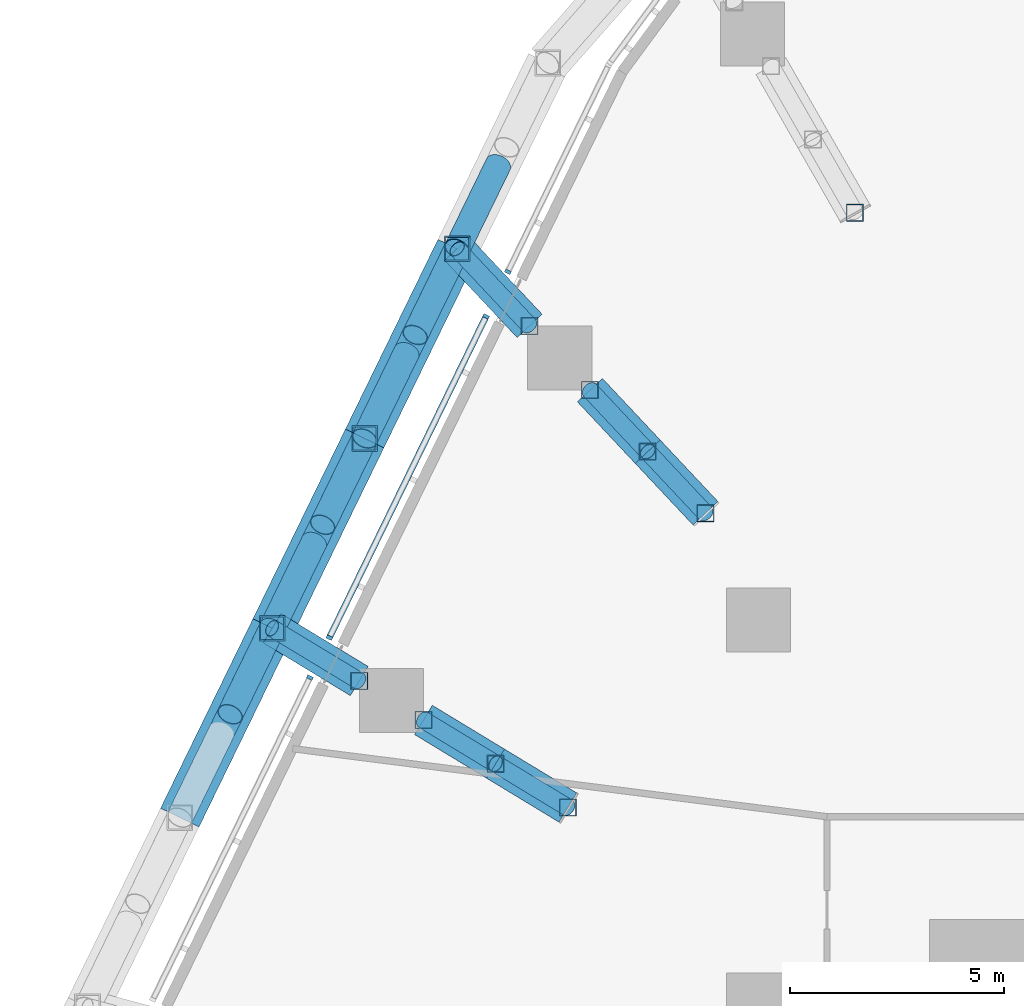
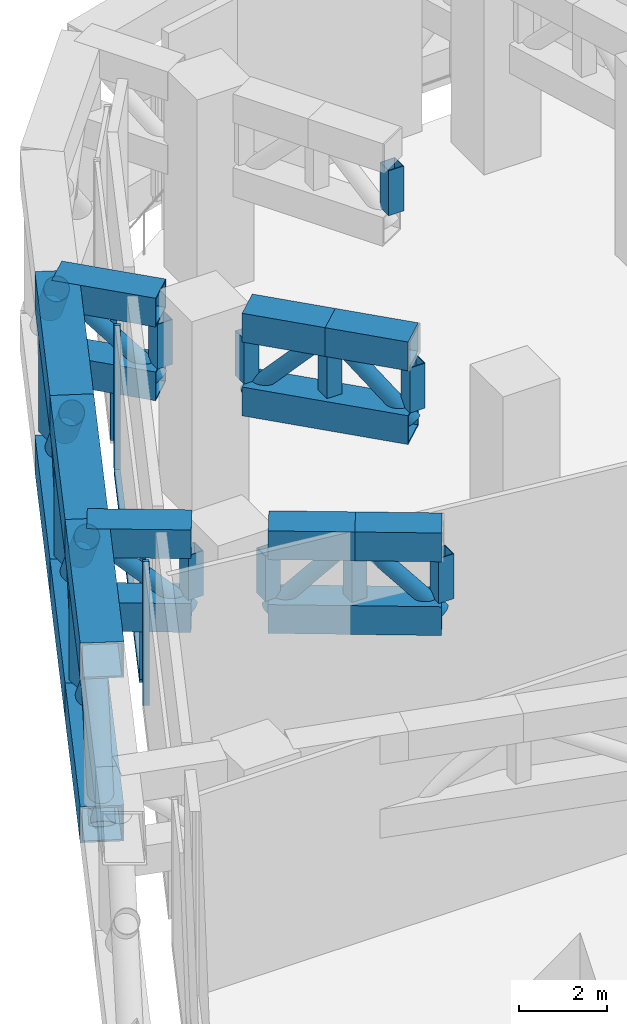
# One storey, part 8 of 38: 48 members, 1 element without a shape of its own.
"""IFC4 building model written with IfcOpenShell, lengths in metres."""

from ifc_helpers import new_model, si_unit, direction, frame, origin, origin_2d, place, context, subcontext, project, spatial, rectangle, hollow_rectangle, hollow_circle, extrude, material, layer, layer_set, material_profile, profile_set, type_object, element, aggregate, save


model = new_model("IFC4")

# Units and contexts
model_context = context("Model", 3, precision=1e-05, world=origin(), true_north=direction((0.0, 1.0)))
body_context = subcontext(model_context, "Body", "Model", "MODEL_VIEW")
ifc_project = project(units=[si_unit("LENGTHUNIT", "METRE"), si_unit("AREAUNIT", "SQUARE_METRE"), si_unit("VOLUMEUNIT", "CUBIC_METRE"), si_unit("PLANEANGLEUNIT", "RADIAN"), si_unit("MASSUNIT", "GRAM", prefix="KILO")], contexts=[model_context])

# Site, building, storey
site_placement = place(None, origin())
site = spatial("IfcSite", under=ifc_project, at=site_placement, CompositionType="ELEMENT")
building_placement = place(site_placement, origin())
building = spatial("IfcBuilding", under=site, at=building_placement, Name="Dongbaek Canopy Tower", CompositionType="ELEMENT")
storey_placement = place(building_placement, frame((0.0, 0.0, 89.199951171875)))
storey = spatial("IfcBuildingStorey", under=building, at=storey_placement, Name="L18", CompositionType="ELEMENT", Elevation=89.199951171875)

# Members
ifc_material_1 = material(Name="Steel S355", Category="steel")
ifc_material_profile_1 = material_profile(ifc_material_1, hollow_circle(Radius=0.304931640625, WallThickness=0.01611328125, at=origin_2d()), Name="BELT BRACE CHS 610.0x16.0 Steel S355")
ifc_profile_set_1 = profile_set([ifc_material_profile_1], Name="Steel S355")
member_type_1 = type_object("IfcMemberType", Name="BELT BRACE CHS 610.0x16.0 Steel S355", PredefinedType="BRACE", material=ifc_profile_set_1)
member_1_placement = place(storey_placement, frame((-31.531982421875, 13.3798828125, 0.5), z_axis=(0.321979445973, 0.660269022181, 0.678508699073), x_axis=(-0.898823690622, 0.438310361704, 0.0)))
element("IfcMember", 1, at=member_1_placement, inside=storey, type_object=member_type_1, Name="BELT:L18:10:D1:0", PredefinedType="BRACE", context=body_context, shape_type="SweptSolid", body=[
    extrude(hollow_circle(Radius=0.304931640625, WallThickness=0.01611328125, at=origin_2d()), origin(), (0.0, 0.0, 1.0), 6.7060546875),
])
member_2_placement = place(storey_placement, frame((-29.372802734375, 17.8076171875, 0.5), z_axis=(-0.322028448932, -0.660242453147, 0.678511297725), x_axis=(0.898790458992, -0.438378501783, 0.0)))
element("IfcMember", 2, at=member_2_placement, inside=storey, type_object=member_type_1, Name="BELT:L18:10:D1:1", PredefinedType="BRACE", context=body_context, shape_type="SweptSolid", body=[
    extrude(hollow_circle(Radius=0.304931640625, WallThickness=0.01611328125, at=origin_2d()), origin(), (0.0, 0.0, 1.0), 3.046875),
])
member_3_placement = place(storey_placement, frame((-29.372802734375, 17.8076171875, 0.5), z_axis=(0.322238010951, 0.6608425123, 0.677827292336), x_axis=(-0.898834994931, 0.438287179697, 0.0)))
element("IfcMember", 3, at=member_3_placement, inside=storey, type_object=member_type_1, Name="BELT:L18:11:D0:0", PredefinedType="BRACE", context=body_context, shape_type="SweptSolid", body=[
    extrude(hollow_circle(Radius=0.304931640625, WallThickness=0.01611328125, at=origin_2d()), origin(), (0.0, 0.0, 1.0), 6.712646484375),
])
for number, where, z_axis, x_axis, name in (
    (4, (-27.209716796875, 22.24365234375, 0.5), (-0.322223680898, -0.660854677887, 0.677822243796), (0.898845851524, -0.438264914404, 0.0), "BELT:L18:11:D0:1"),
    (5, (-29.372802734375, 17.8076171875, 5.050048828125), (0.322223680898, 0.660854677887, -0.677822243796), (-0.898845851524, 0.438264914404, 0.0), "BELT:L18:11:D0:2"),
):
    element("IfcMember", number, at=place(storey_placement, frame(where, z_axis=z_axis, x_axis=x_axis)), inside=storey, type_object=member_type_1, Name=name, PredefinedType="BRACE", context=body_context, shape_type="SweptSolid", body=[
        extrude(hollow_circle(Radius=0.304931640625, WallThickness=0.01611328125, at=origin_2d()), origin(), (0.0, 0.0, 1.0), 3.05029296875),
    ])
member_4_placement = place(storey_placement, frame((-27.209716796875, 22.24365234375, 0.5), z_axis=(0.322270603795, 0.660834767064, 0.677819348034), x_axis=(-0.898815506622, 0.438327143873, 0.0)))
element("IfcMember", 6, at=member_4_placement, inside=storey, type_object=member_type_1, Name="BELT:L18:11:D1:0", PredefinedType="BRACE", context=body_context, shape_type="SweptSolid", body=[
    extrude(hollow_circle(Radius=0.304931640625, WallThickness=0.01611328125, at=origin_2d()), origin(), (0.0, 0.0, 1.0), 6.712890625),
])
member_5_placement = place(storey_placement, frame((-25.04638671875, 26.6796875, 0.5), z_axis=(-0.322223680898, -0.660854677887, 0.677822243796), x_axis=(0.898845851524, -0.438264914404, 0.0)))
element("IfcMember", 7, at=member_5_placement, inside=storey, type_object=member_type_1, Name="BELT:L18:11:D1:1", PredefinedType="BRACE", context=body_context, shape_type="SweptSolid", body=[
    extrude(hollow_circle(Radius=0.304931640625, WallThickness=0.01611328125, at=origin_2d()), origin(), (0.0, 0.0, 1.0), 3.05029296875),
])
member_6_placement = place(storey_placement, frame((-27.209716796875, 22.24365234375, 5.050048828125), z_axis=(0.322295403858, 0.660837633388, -0.677804761676), x_axis=(-0.898802966298, 0.438352857609, 0.0)))
element("IfcMember", 8, at=member_6_placement, inside=storey, type_object=member_type_1, Name="BELT:L18:11:D1:2", PredefinedType="BRACE", context=body_context, shape_type="SweptSolid", body=[
    extrude(hollow_circle(Radius=0.304931640625, WallThickness=0.01611328125, at=origin_2d()), origin(), (0.0, 0.0, 1.0), 3.050537109375),
])
member_7_placement = place(storey_placement, frame((-25.04638671875, 26.6796875, 5.050048828125), z_axis=(0.319136083237, 0.654395060754, -0.685506575342), x_axis=(-0.898812290249, 0.438333739172, 0.0)))
element("IfcMember", 9, at=member_7_placement, inside=storey, type_object=member_type_1, Name="BELT:L18:12:D0:2", PredefinedType="BRACE", context=body_context, shape_type="SweptSolid", body=[
    extrude(hollow_circle(Radius=0.304931640625, WallThickness=0.01611328125, at=origin_2d()), origin(), (0.0, 0.0, 1.0), 3.013427734375),
])
ifc_material_2 = material(Name="Steel S355", Category="steel")
ifc_material_profile_2 = material_profile(ifc_material_2, hollow_rectangle(XDim=1.0, YDim=1.0, WallThickness=0.050048828125, at=origin_2d()), Name="BELT CHORD BOX 1000x1000x50 Steel S355")
ifc_profile_set_2 = profile_set([ifc_material_profile_2], Name="Steel S355")
member_type_2 = type_object("IfcMemberType", Name="BELT CHORD BOX 1000x1000x50 Steel S355", PredefinedType="CHORD", material=ifc_profile_set_2)
for number, where, z_axis, x_axis, name in (
    (10, (-31.531982421875, 13.3798828125, 0.5), (0.438310361704, 0.898823690622, 0.0), (-0.898823690622, 0.438310361704, 0.0), "BELT:L18:10:CB1"),
    (11, (-31.531982421875, 13.3798828125, 5.050048828125), (0.438310361704, 0.898823690622, 0.0), (-0.898823690622, 0.438310361704, 0.0), "BELT:L18:10:CT1"),
):
    element("IfcMember", number, at=place(storey_placement, frame(where, z_axis=z_axis, x_axis=x_axis)), inside=storey, type_object=member_type_2, Name=name, PredefinedType="CHORD", context=body_context, shape_type="SweptSolid", body=[
        extrude(hollow_rectangle(XDim=1.0, YDim=1.0, WallThickness=0.050048828125, at=origin_2d()), origin(), (0.0, 0.0, 1.0), 4.926025390625),
    ])
for number, where, z_axis, x_axis, name in (
    (12, (-29.372802734375, 17.8076171875, 0.5), (0.438287179697, 0.898834994931, 0.0), (-0.898834994931, 0.438287179697, 0.0), "BELT:L18:11:CB0"),
    (13, (-29.372802734375, 17.8076171875, 5.050048828125), (0.438287179697, 0.898834994931, 0.0), (-0.898834994931, 0.438287179697, 0.0), "BELT:L18:11:CT0"),
    (14, (-27.209716796875, 22.24365234375, 0.5), (0.438327143873, 0.898815506622, 0.0), (-0.898815506622, 0.438327143873, 0.0), "BELT:L18:11:CB1"),
    (15, (-27.209716796875, 22.24365234375, 5.050048828125), (0.438327143873, 0.898815506622, 0.0), (-0.898815506622, 0.438327143873, 0.0), "BELT:L18:11:CT1"),
):
    element("IfcMember", number, at=place(storey_placement, frame(where, z_axis=z_axis, x_axis=x_axis)), inside=storey, type_object=member_type_2, Name=name, PredefinedType="CHORD", context=body_context, shape_type="SweptSolid", body=[
        extrude(hollow_rectangle(XDim=1.0, YDim=1.0, WallThickness=0.050048828125, at=origin_2d()), origin(), (0.0, 0.0, 1.0), 4.935302734375),
    ])
ifc_material_3 = material(Name="Steel S355", Category="steel")
ifc_material_profile_3 = material_profile(ifc_material_3, hollow_rectangle(XDim=0.60009765625, YDim=0.60009765625, WallThickness=0.031982421875, at=origin_2d()), Name="BELT POST BOX 600x600x32 Steel S355")
ifc_profile_set_3 = profile_set([ifc_material_profile_3], Name="Steel S355")
member_type_3 = type_object("IfcMemberType", Name="BELT POST BOX 600x600x32 Steel S355", PredefinedType="POST", material=ifc_profile_set_3)
for number, where, z_axis, x_axis, name in (
    (16, (-29.372802734375, 17.8076171875, 1.0), (0.0, 0.0, 1.0), (1.0, 0.0, 0.0), "BELT:L18:11:P0"),
    (17, (-27.209716796875, 22.24365234375, 1.0), (0.0, 0.0, 1.0), (1.0, 0.0, 0.0), "BELT:L18:11:P1"),
    (18, (-25.04638671875, 26.6796875, 1.0), (0.0, 0.0, 1.0), (1.0, 0.0, 0.0), "BELT:L18:12:P0"),
):
    element("IfcMember", number, at=place(storey_placement, frame(where, z_axis=z_axis, x_axis=x_axis)), inside=storey, type_object=member_type_3, Name=name, PredefinedType="POST", context=body_context, shape_type="SweptSolid", body=[
        extrude(hollow_rectangle(XDim=0.60009765625, YDim=0.60009765625, WallThickness=0.031982421875, at=origin_2d()), origin(), (0.0, 0.0, 1.0), 3.550048828125),
    ])
ifc_material_4 = material(Name="Steel S355", Category="steel")
ifc_material_profile_4 = material_profile(ifc_material_4, hollow_circle(Radius=0.203125, WallThickness=0.0126953125, at=origin_2d()), Name="BRACE CHS 406.4x12.7 Steel S355")
ifc_profile_set_4 = profile_set([ifc_material_profile_4], Name="Steel S355")
member_type_4 = type_object("IfcMemberType", Name="BRACE CHS 406.4x12.7 Steel S355", PredefinedType="BRACE", material=ifc_profile_set_4)
for number, where, z_axis, x_axis, name in (
    (19, (-22.458251953125, 13.615478515625, 3.10009765625), (-0.593305294029, 0.35968811841, 0.720148099735), (-0.518416770019, -0.855128091319, 0.0), "TRUSS:L18:11:D0"),
    (20, (-24.147216796875, 14.639404296875, 5.150146484375), (-0.593249716616, 0.359706420628, -0.720184743447), (-0.518471572258, -0.855094865357, 0.0), "TRUSS:L18:11:D1"),
    (21, (-19.240478515625, 20.4951171875, 3.10009765625), (-0.474873482215, 0.505834169786, 0.720157599812), (-0.729066738651, -0.684442613074, 0.0), "TRUSS:L18:12:D0"),
):
    element("IfcMember", number, at=place(storey_placement, frame(where, z_axis=z_axis, x_axis=x_axis)), inside=storey, type_object=member_type_4, Name=name, PredefinedType="BRACE", context=body_context, shape_type="SweptSolid", body=[
        extrude(hollow_circle(Radius=0.203125, WallThickness=0.0126953125, at=origin_2d()), origin(), (0.0, 0.0, 1.0), 2.8466796875),
    ])
member_8_placement = place(storey_placement, frame((-20.59228515625, 21.93505859375, 5.150146484375), z_axis=(-0.474807054602, 0.505854770239, -0.720186928739), x_axis=(-0.729128424102, -0.684376899937, 0.0)))
element("IfcMember", 22, at=member_8_placement, inside=storey, type_object=member_type_4, Name="TRUSS:L18:12:D1", PredefinedType="BRACE", context=body_context, shape_type="SweptSolid", body=[
    extrude(hollow_circle(Radius=0.203125, WallThickness=0.0126953125, at=origin_2d()), origin(), (0.0, 0.0, 1.0), 2.846435546875),
])
member_9_placement = place(storey_placement, frame((-27.3359375, 16.57275390625, 3.10009765625), z_axis=(-0.648131001559, 0.392933789511, 0.652326024223), x_axis=(-0.518424375459, -0.855123480516, 0.0)))
element("IfcMember", 23, at=member_9_placement, inside=storey, type_object=member_type_4, Name="TRUSS:L18:11x:D0", PredefinedType="BRACE", context=body_context, shape_type="SweptSolid", body=[
    extrude(hollow_circle(Radius=0.203125, WallThickness=0.0126953125, at=origin_2d()), origin(), (0.0, 0.0, 1.0), 3.142578125),
])
member_10_placement = place(storey_placement, frame((-23.35205078125, 24.875, 3.10009765625), z_axis=(-0.527158913034, 0.561492605928, 0.637831900972), x_axis=(-0.729044909493, -0.684465864702, 0.0)))
element("IfcMember", 24, at=member_10_placement, inside=storey, type_object=member_type_4, Name="TRUSS:L18:12x:D0", PredefinedType="BRACE", context=body_context, shape_type="SweptSolid", body=[
    extrude(hollow_circle(Radius=0.203125, WallThickness=0.0126953125, at=origin_2d()), origin(), (0.0, 0.0, 1.0), 3.214111328125),
])
ifc_material_5 = material(Name="Steel S355", Category="steel")
ifc_material_profile_5 = material_profile(ifc_material_5, hollow_rectangle(XDim=0.800048828125, YDim=0.800048828125, WallThickness=0.0400390625, at=origin_2d()), Name="CHORD BOX 800x800x40 Steel S355")
ifc_profile_set_5 = profile_set([ifc_material_profile_5], Name="Steel S355")
member_type_5 = type_object("IfcMemberType", Name="CHORD BOX 800x800x40 Steel S355", PredefinedType="CHORD", material=ifc_profile_set_5)
member_11_placement = place(storey_placement, frame((-22.458251953125, 13.615478515625, 3.10009765625), z_axis=(-0.855111479655, 0.518444169956, 0.0), x_axis=(-0.518444169956, -0.855111479655, 0.0)))
element("IfcMember", 25, at=member_11_placement, inside=storey, type_object=member_type_5, Name="TRUSS:L18:11:CB", PredefinedType="CHORD", context=body_context, shape_type="SweptSolid", body=[
    extrude(hollow_rectangle(XDim=0.800048828125, YDim=0.800048828125, WallThickness=0.0400390625, at=origin_2d()), origin(), (0.0, 0.0, 1.0), 3.949951171875),
])
member_12_placement = place(storey_placement, frame((-22.458251953125, 13.615478515625, 5.150146484375), z_axis=(-0.855128091319, 0.518416770019, 0.0), x_axis=(-0.518416770019, -0.855128091319, 0.0)))
element("IfcMember", 26, at=member_12_placement, inside=storey, type_object=member_type_5, Name="TRUSS:L18:11:CT0", PredefinedType="CHORD", context=body_context, shape_type="SweptSolid", body=[
    extrude(hollow_rectangle(XDim=0.800048828125, YDim=0.800048828125, WallThickness=0.0400390625, at=origin_2d()), origin(), (0.0, 0.0, 1.0), 1.97509765625),
])
member_13_placement = place(storey_placement, frame((-24.147216796875, 14.639404296875, 5.150146484375), z_axis=(-0.855094865357, 0.518471572258, 0.0), x_axis=(-0.518471572258, -0.855094865357, 0.0)))
element("IfcMember", 27, at=member_13_placement, inside=storey, type_object=member_type_5, Name="TRUSS:L18:11:CT1", PredefinedType="CHORD", context=body_context, shape_type="SweptSolid", body=[
    extrude(hollow_rectangle(XDim=0.800048828125, YDim=0.800048828125, WallThickness=0.0400390625, at=origin_2d()), origin(), (0.0, 0.0, 1.0), 1.974853515625),
])
member_14_placement = place(storey_placement, frame((-19.240478515625, 20.4951171875, 3.10009765625), z_axis=(-0.68440975859, 0.729097580812, 0.0), x_axis=(-0.729097580812, -0.68440975859, 0.0)))
element("IfcMember", 28, at=member_14_placement, inside=storey, type_object=member_type_5, Name="TRUSS:L18:12:CB", PredefinedType="CHORD", context=body_context, shape_type="SweptSolid", body=[
    extrude(hollow_rectangle(XDim=0.800048828125, YDim=0.800048828125, WallThickness=0.0400390625, at=origin_2d()), origin(), (0.0, 0.0, 1.0), 3.949951171875),
])
member_15_placement = place(storey_placement, frame((-19.240478515625, 20.4951171875, 5.150146484375), z_axis=(-0.684442613074, 0.729066738651, 0.0), x_axis=(-0.729066738651, -0.684442613074, 0.0)))
element("IfcMember", 29, at=member_15_placement, inside=storey, type_object=member_type_5, Name="TRUSS:L18:12:CT0", PredefinedType="CHORD", context=body_context, shape_type="SweptSolid", body=[
    extrude(hollow_rectangle(XDim=0.800048828125, YDim=0.800048828125, WallThickness=0.0400390625, at=origin_2d()), origin(), (0.0, 0.0, 1.0), 1.97509765625),
])
member_16_placement = place(storey_placement, frame((-20.59228515625, 21.93505859375, 5.150146484375), z_axis=(-0.684376899937, 0.729128424102, 0.0), x_axis=(-0.729128424102, -0.684376899937, 0.0)))
element("IfcMember", 30, at=member_16_placement, inside=storey, type_object=member_type_5, Name="TRUSS:L18:12:CT1", PredefinedType="CHORD", context=body_context, shape_type="SweptSolid", body=[
    extrude(hollow_rectangle(XDim=0.800048828125, YDim=0.800048828125, WallThickness=0.0400390625, at=origin_2d()), origin(), (0.0, 0.0, 1.0), 1.974853515625),
])
for number, where, z_axis, x_axis, name in (
    (31, (-27.3359375, 16.57275390625, 3.10009765625), (-0.855123480516, 0.518424375459, 0.0), (-0.518424375459, -0.855123480516, 0.0), "TRUSS:L18:11x:CB"),
    (32, (-27.3359375, 16.57275390625, 5.150146484375), (-0.855123480516, 0.518424375459, 0.0), (-0.518424375459, -0.855123480516, 0.0), "TRUSS:L18:11x:CT0"),
):
    element("IfcMember", number, at=place(storey_placement, frame(where, z_axis=z_axis, x_axis=x_axis)), inside=storey, type_object=member_type_5, Name=name, PredefinedType="CHORD", context=body_context, shape_type="SweptSolid", body=[
        extrude(hollow_rectangle(XDim=0.800048828125, YDim=0.800048828125, WallThickness=0.0400390625, at=origin_2d()), origin(), (0.0, 0.0, 1.0), 2.3818359375),
    ])
for number, where, z_axis, x_axis, name in (
    (33, (-23.35205078125, 24.875, 3.10009765625), (-0.684465864702, 0.729044909493, 0.0), (-0.729044909493, -0.684465864702, 0.0), "TRUSS:L18:12x:CB"),
    (34, (-23.35205078125, 24.875, 5.150146484375), (-0.684465864702, 0.729044909493, 0.0), (-0.729044909493, -0.684465864702, 0.0), "TRUSS:L18:12x:CT0"),
):
    element("IfcMember", number, at=place(storey_placement, frame(where, z_axis=z_axis, x_axis=x_axis)), inside=storey, type_object=member_type_5, Name=name, PredefinedType="CHORD", context=body_context, shape_type="SweptSolid", body=[
        extrude(hollow_rectangle(XDim=0.800048828125, YDim=0.800048828125, WallThickness=0.0400390625, at=origin_2d()), origin(), (0.0, 0.0, 1.0), 2.475341796875),
    ])

# Curtain wall, members
ifc_material_6 = material(Name="Aluminium 6063-T6 pale anodised", Category="aluminium")
ifc_layer = layer(ifc_material_6, 0.14990234375)
ifc_layer_set = layer_set([ifc_layer], Name="CW-7 louvre curtain wall")
curtain_wall_type = type_object("IfcCurtainWallType", Name="CW-7 louvre curtain wall", PredefinedType="NOTDEFINED", material=ifc_layer_set)
curtain_wall_placement = place(storey_placement, origin())
curtain_wall = element("IfcCurtainWall", 35, at=curtain_wall_placement, inside=storey, type_object=curtain_wall_type, Name="CW-7 louvre wall L18 F2", PredefinedType="NOTDEFINED")
ifc_material_7 = material(Name="Aluminium 6063-T6 pale anodised", Category="aluminium")
ifc_material_profile_6 = material_profile(ifc_material_7, rectangle(XDim=0.14990234375, YDim=0.080078125, at=origin_2d()), Name="CW-7 mullion 80 x 150")
ifc_profile_set_6 = profile_set([ifc_material_profile_6], Name="Aluminium 6063-T6 pale anodised")
member_type_6 = type_object("IfcMemberType", Name="CW-7 mullion 80 x 150", PredefinedType="MULLION", material=ifc_profile_set_6)
member_17_placement = place(storey_placement, frame((-23.862548828125, 26.140869140625, 0.775146484375), z_axis=(0.0, 0.0, 1.0), x_axis=(-0.898815091444, 0.438327995219, 0.0)))
member_17 = element("IfcMember", 36, at=member_17_placement, type_object=member_type_6, Name="CW-7 mullion L18 F2.1.2", PredefinedType="MULLION", context=body_context, shape_type="SweptSolid", body=[
    extrude(rectangle(XDim=0.14990234375, YDim=0.080078125, at=origin_2d()), origin(), (0.0, 0.0, 1.0), 4.0),
])
member_18_placement = place(storey_placement, frame((-24.371826171875, 25.096923828125, 0.775146484375), z_axis=(0.0, 0.0, 1.0), x_axis=(-0.898815091444, 0.438327995219, 0.0)))
member_18 = element("IfcMember", 37, at=member_18_placement, type_object=member_type_6, Name="CW-7 mullion L18 F2.2.1", PredefinedType="MULLION", context=body_context, shape_type="SweptSolid", body=[
    extrude(rectangle(XDim=0.14990234375, YDim=0.080078125, at=origin_2d()), origin(), (0.0, 0.0, 1.0), 4.0),
])
member_19_placement = place(storey_placement, frame((-28.034423828125, 17.586669921875, 0.775146484375), z_axis=(0.0, 0.0, 1.0), x_axis=(-0.898815091444, 0.438327995219, 0.0)))
member_19 = element("IfcMember", 38, at=member_19_placement, type_object=member_type_6, Name="CW-7 mullion L18 F2.2.2", PredefinedType="MULLION", context=body_context, shape_type="SweptSolid", body=[
    extrude(rectangle(XDim=0.14990234375, YDim=0.080078125, at=origin_2d()), origin(), (0.0, 0.0, 1.0), 4.0),
])
member_20_placement = place(storey_placement, frame((-28.48974609375, 16.65283203125, 0.775146484375), z_axis=(0.0, 0.0, 1.0), x_axis=(-0.898815091444, 0.438327995219, 0.0)))
member_20 = element("IfcMember", 39, at=member_20_placement, type_object=member_type_6, Name="CW-7 mullion L18 F2.3.1", PredefinedType="MULLION", context=body_context, shape_type="SweptSolid", body=[
    extrude(rectangle(XDim=0.14990234375, YDim=0.080078125, at=origin_2d()), origin(), (0.0, 0.0, 1.0), 4.0),
])
ifc_material_8 = material(Name="Aluminium 6063-T6 pale anodised", Category="aluminium")
ifc_material_profile_7 = material_profile(ifc_material_8, rectangle(XDim=0.14990234375, YDim=0.1201171875, at=origin_2d()), Name="CW-7 transom 120 x 150")
ifc_profile_set_7 = profile_set([ifc_material_profile_7], Name="Aluminium 6063-T6 pale anodised")
member_type_7 = type_object("IfcMemberType", Name="CW-7 transom 120 x 150", PredefinedType="USERDEFINED", material=ifc_profile_set_7)
member_21_placement = place(storey_placement, frame((-24.371826171875, 25.096923828125, 0.715087890625), z_axis=(-0.438332675411, -0.898812809025, 0.0), x_axis=(0.898812809025, -0.438332675411, 0.0)))
member_21 = element("IfcMember", 40, at=member_21_placement, type_object=member_type_7, Name="CW-7 transom L18 F2.2", ObjectType="TRANSOM", PredefinedType="USERDEFINED", context=body_context, shape_type="SweptSolid", body=[
    extrude(rectangle(XDim=0.14990234375, YDim=0.1201171875, at=origin_2d()), origin(), (0.0, 0.0, 1.0), 8.355712890625),
])
aggregate(curtain_wall, [member_17, member_21, member_18, member_19, member_20])

# Members
ifc_material_9 = material(Name="Steel S355", Category="steel")
ifc_material_profile_8 = material_profile(ifc_material_9, hollow_rectangle(XDim=0.39990234375, YDim=0.39990234375, WallThickness=0.01611328125, at=origin_2d()), Name="POST SHS 400x400x16 Steel S355")
ifc_profile_set_8 = profile_set([ifc_material_profile_8], Name="Steel S355")
member_type_8 = type_object("IfcMemberType", Name="POST SHS 400x400x16 Steel S355", PredefinedType="POST", material=ifc_profile_set_8)
for number, where, z_axis, x_axis, name in (
    (41, (-22.458251953125, 13.615478515625, 3.5), (0.0, 0.0, 1.0), (1.0, 0.0, 0.0), "TRUSS:L18:11:P0"),
    (42, (-24.147216796875, 14.639404296875, 3.5), (0.0, 0.0, 1.0), (1.0, 0.0, 0.0), "TRUSS:L18:11:P1"),
    (43, (-25.8359375, 15.663330078125, 3.5), (0.0, 0.0, 1.0), (1.0, 0.0, 0.0), "TRUSS:L18:11:P2"),
    (44, (-19.240478515625, 20.4951171875, 3.5), (0.0, 0.0, 1.0), (1.0, 0.0, 0.0), "TRUSS:L18:12:P0"),
    (45, (-20.59228515625, 21.93505859375, 3.5), (0.0, 0.0, 1.0), (1.0, 0.0, 0.0), "TRUSS:L18:12:P1"),
    (46, (-21.94384765625, 23.375, 3.5), (0.0, 0.0, 1.0), (1.0, 0.0, 0.0), "TRUSS:L18:12:P2"),
    (47, (-15.748046875, 27.5205078125, 3.5), (0.0, 0.0, 1.0), (1.0, 0.0, 0.0), "TRUSS:L18:13:P0"),
    (48, (-27.3359375, 16.57275390625, 3.5), (0.0, 0.0, 1.0), (1.0, 0.0, 0.0), "TRUSS:L18:11x:P0"),
    (49, (-23.35205078125, 24.875, 3.5), (0.0, 0.0, 1.0), (1.0, 0.0, 0.0), "TRUSS:L18:12x:P0"),
):
    element("IfcMember", number, at=place(storey_placement, frame(where, z_axis=z_axis, x_axis=x_axis)), inside=storey, type_object=member_type_8, Name=name, PredefinedType="POST", context=body_context, shape_type="SweptSolid", body=[
        extrude(hollow_rectangle(XDim=0.39990234375, YDim=0.39990234375, WallThickness=0.01611328125, at=origin_2d()), origin(), (0.0, 0.0, 1.0), 1.25),
    ])

save(model, "model.ifc")
